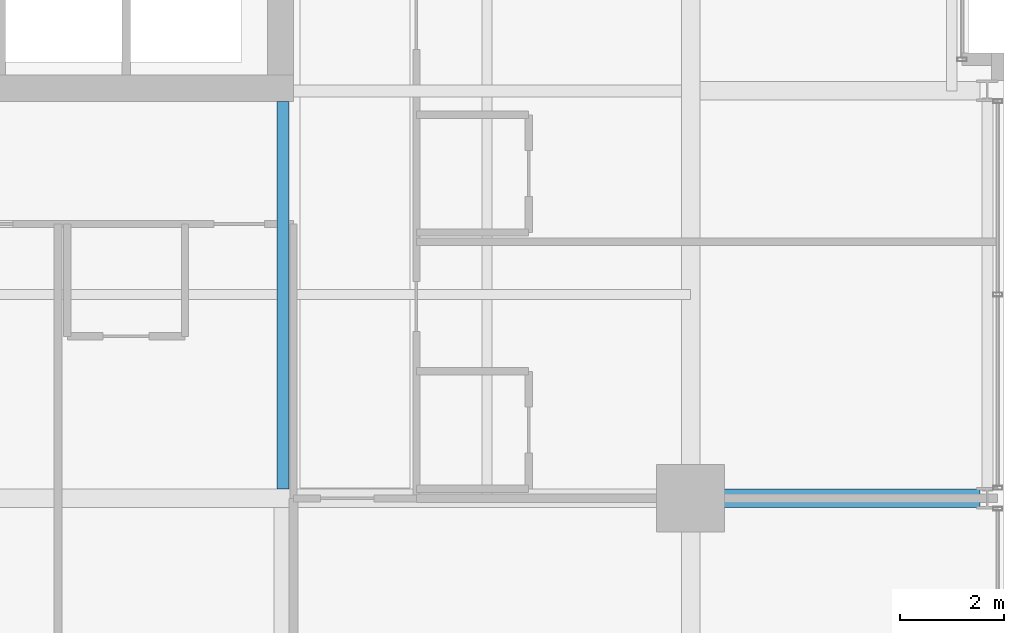
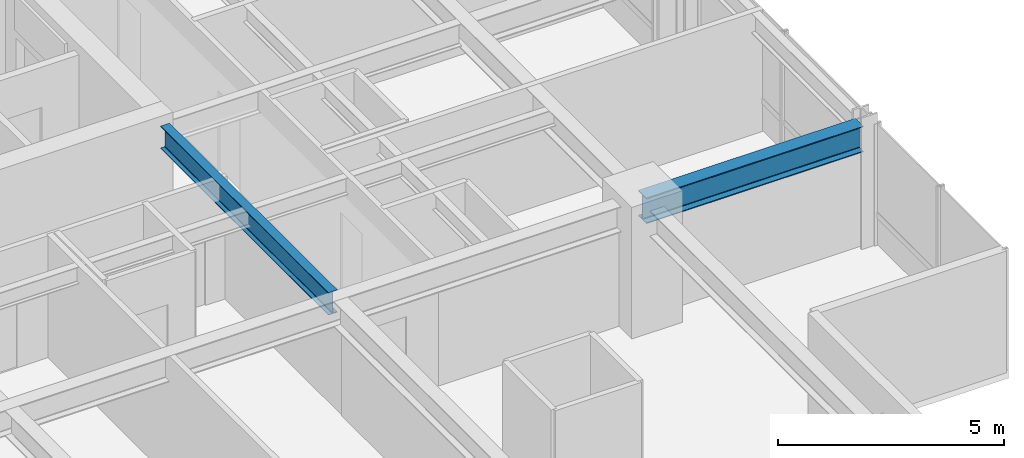
# One storey, part 12 of 32: 2 beams.
"""IFC4 building model written with IfcOpenShell, lengths in metres."""

import ifcopenshell
import ifcopenshell.guid

model = None  # the IFC model being written
_history = None  # IfcOwnerHistory: only IFC2X3 demands one
_inside = {}  # id of a spatial element -> (the spatial element, [elements in it])
_under = {}  # id of a project, library or spatial element -> (it, [spatial elements below it])
_declared = {}  # id of a project -> (the project, [libraries it declares])
_typed = {}  # id of a type object -> (the type object, [elements of that type])
_made_of = {}  # id of a material, layer set ... -> (it, [elements and type objects made of it])


def new_model(schema):
    """Start an empty IFC model of exactly this schema.

    Asked for "IFC4X3", IfcOpenShell would pick the latest addendum, in which some entities
    have other attributes; the version numbers below select the first issue.
    IFC2X3 requires an IfcOwnerHistory on every rooted entity: one is made here for all.
    """
    global model, _history
    if schema == "IFC4X3":
        model = ifcopenshell.file(schema_version=(4, 3, 0, 0))
    else:
        model = ifcopenshell.file(schema=schema)
    _inside.clear()
    _under.clear()
    _declared.clear()
    _typed.clear()
    _made_of.clear()
    _history = None
    if model.schema == "IFC2X3":
        org = make("IfcOrganization", Name="unknown")
        user = make(
            "IfcPersonAndOrganization",
            ThePerson=make("IfcPerson", FamilyName="unknown"),
            TheOrganization=org,
        )
        app = make(
            "IfcApplication",
            ApplicationDeveloper=org,
            Version="unknown",
            ApplicationFullName="unknown",
            ApplicationIdentifier="unknown",
        )
        _history = make(
            "IfcOwnerHistory",
            OwningUser=user,
            OwningApplication=app,
            ChangeAction="ADDED",
            CreationDate=0,
        )
    return model


def make(cls, **values):
    """One entity of the class cls with the attributes given. An attribute that is None is left unset."""
    return model.create_entity(
        cls, **{name: value for name, value in values.items() if value is not None}
    )


def rooted(cls, **values):
    """An entity with a GlobalId (a new one), such as an element, a storey or a relation."""
    return make(cls, GlobalId=ifcopenshell.guid.new(), OwnerHistory=_history, **values)


def si_unit(unit_type, name, prefix=None):
    """IfcSIUnit, for example si_unit("LENGTHUNIT", "METRE", prefix="MILLI")."""
    return make("IfcSIUnit", UnitType=unit_type, Prefix=prefix, Name=name)


def assignment(units):
    """IfcUnitAssignment: the units of a project."""
    return None if units is None else make("IfcUnitAssignment", Units=units)


def point(xyz):
    """IfcCartesianPoint."""
    return None if xyz is None else make("IfcCartesianPoint", Coordinates=xyz)


def direction(xyz):
    """IfcDirection."""
    return None if xyz is None else make("IfcDirection", DirectionRatios=xyz)


def frame(location, z_axis=None, x_axis=None):
    """IfcAxis2Placement3D, a coordinate frame: its origin and axes. An axis left out is left unset."""
    return make(
        "IfcAxis2Placement3D",
        Location=point(location),
        Axis=direction(z_axis),
        RefDirection=direction(x_axis),
    )


def frame_2d(location, x_axis=None):
    """IfcAxis2Placement2D, a coordinate frame in the plane: its origin and x axis."""
    return make(
        "IfcAxis2Placement2D", Location=point(location), RefDirection=direction(x_axis)
    )


def origin():
    """The frame at (0, 0, 0) with its axes left unset."""
    return frame((0.0, 0.0, 0.0))


def origin_2d():
    """The frame at (0, 0) in the plane with its x axis left unset."""
    return frame_2d((0.0, 0.0))


def place(relative_to, where):
    """IfcLocalPlacement: puts the frame where relative to a parent placement (None: the world)."""
    return make(
        "IfcLocalPlacement", PlacementRelTo=relative_to, RelativePlacement=where
    )


def context(
    kind, dimensions, precision=None, world=None, true_north=None, identifier=None
):
    """IfcGeometricRepresentationContext, for example the 3D "Model" context."""
    return make(
        "IfcGeometricRepresentationContext",
        ContextIdentifier=identifier,
        ContextType=kind,
        CoordinateSpaceDimension=dimensions,
        Precision=precision,
        WorldCoordinateSystem=world,
        TrueNorth=true_north,
    )


def subcontext(parent, identifier, kind, view, scale=None):
    """IfcGeometricRepresentationSubContext, for example "Body" below "Model"."""
    return make(
        "IfcGeometricRepresentationSubContext",
        ContextIdentifier=identifier,
        ContextType=kind,
        ParentContext=parent,
        TargetScale=scale,
        TargetView=view,
    )


def project(units=None, contexts=None):
    """IfcProject with its units and contexts."""
    return rooted(
        "IfcProject",
        Name="project",
        RepresentationContexts=contexts,
        UnitsInContext=assignment(units),
    )


def spatial(cls, under=None, at=None, **own):
    """A site, building, storey or space (cls), placed at a placement, below another one or the project."""
    s = rooted(cls, ObjectPlacement=at, **own)
    if under is not None:
        _under.setdefault(under.id(), (under, []))[1].append(s)
    return s


def profile(cls, at=None, kind="AREA", **sizes):
    """A parametric profile (cls). Its sizes go by their IFC names, for example OverallWidth=200.0."""
    return make(cls, ProfileType=kind, Position=at, **sizes)


def i_section(**sizes):
    """IfcIShapeProfileDef."""
    return profile("IfcIShapeProfileDef", **sizes)


def extrude(swept, where, along, depth):
    """IfcExtrudedAreaSolid: the profile swept, set in the frame where, extruded along a direction by depth."""
    return make(
        "IfcExtrudedAreaSolid",
        SweptArea=swept,
        Position=where,
        ExtrudedDirection=direction(along),
        Depth=depth,
    )


def shape(context_of_items, identifier, shape_type, items):
    """IfcShapeRepresentation: the items that make up one representation, for example the "Body"."""
    return make(
        "IfcShapeRepresentation",
        ContextOfItems=context_of_items,
        RepresentationIdentifier=identifier,
        RepresentationType=shape_type,
        Items=items,
    )


def material(Name=None, Category=None):
    """IfcMaterial."""
    return make("IfcMaterial", Name=Name, Category=Category)


def material_profile(
    of_material, cross_section, Name=None, Category=None, Priority=None
):
    """IfcMaterialProfile: a cross section and its material."""
    return make(
        "IfcMaterialProfile",
        Name=Name,
        Material=of_material,
        Profile=cross_section,
        Priority=Priority,
        Category=Category,
    )


def profile_set(profiles, Name=None, composite=None):
    """IfcMaterialProfileSet."""
    return make(
        "IfcMaterialProfileSet",
        Name=Name,
        MaterialProfiles=profiles,
        CompositeProfile=composite,
    )


def made_of(thing, what):
    """Note that an element or type object is made of a material, layer set ...; save() writes the relation."""
    if what is not None:
        _made_of.setdefault(what.id(), (what, []))[1].append(thing)
    return thing


def type_object(cls, material=None, **own):
    """A type object (cls), such as IfcWallType, which elements share."""
    return made_of(rooted(cls, **own), material)


def element(
    cls,
    number,
    at=None,
    inside=None,
    cuts=None,
    type_object=None,
    material=None,
    context=None,
    identifier="Body",
    shape_type=None,
    held_by="IfcProductDefinitionShape",
    body=None,
    shapes=None,
    **own,
):
    """One element of the class cls, such as IfcWall. Its Tag is "e" and its number.

    at: its placement. inside: the storey or other place that contains it. cuts: it is an
    opening in that element (IfcRelVoidsElement). A single representation is given by context,
    identifier, shape_type and body (its items); several are given by shapes. held_by: the class
    of the entity that holds the representations. save() writes the other relations.
    """
    e = rooted(cls, Tag="e%d" % number, ObjectPlacement=at, **own)
    if body is not None:
        shapes = [shape(context, identifier, shape_type, body)]
    if shapes is not None:
        e.Representation = make(held_by, Representations=shapes)
    if inside is not None:
        _inside.setdefault(inside.id(), (inside, []))[1].append(e)
    if cuts is not None:
        rooted(
            "IfcRelVoidsElement", RelatingBuildingElement=cuts, RelatedOpeningElement=e
        )
    if type_object is not None:
        _typed.setdefault(type_object.id(), (type_object, []))[1].append(e)
    return made_of(e, material)


def aggregate(whole, parts):
    """IfcRelAggregates: a whole, such as a stair, and the parts it consists of."""
    return rooted("IfcRelAggregates", RelatingObject=whole, RelatedObjects=parts)


def save(model, path):
    """Write the relations noted so far, then the file.

    IfcRelAggregates (storeys below a building ...), IfcRelContainedInSpatialStructure (elements
    in a storey), IfcRelDefinesByType, IfcRelAssociatesMaterial and IfcRelDeclares: one each for
    every whole, place, type object, material and project.
    """
    for whole, parts in _under.values():
        aggregate(whole, parts)
    for where, things in _inside.values():
        rooted(
            "IfcRelContainedInSpatialStructure",
            RelatedElements=things,
            RelatingStructure=where,
        )
    for kind, things in _typed.values():
        rooted("IfcRelDefinesByType", RelatedObjects=things, RelatingType=kind)
    for what, things in _made_of.values():
        rooted("IfcRelAssociatesMaterial", RelatedObjects=things, RelatingMaterial=what)
    for by, libraries in _declared.values():
        rooted("IfcRelDeclares", RelatingContext=by, RelatedDefinitions=libraries)
    model.write(path)


model = new_model("IFC4")

# Units and contexts
model_context = context("Model", 3, precision=1e-05, world=origin(), true_north=direction((0.0, 1.0)))
body_context = subcontext(model_context, "Body", "Model", "MODEL_VIEW")
ifc_project = project(units=[si_unit("LENGTHUNIT", "METRE"), si_unit("AREAUNIT", "SQUARE_METRE"), si_unit("VOLUMEUNIT", "CUBIC_METRE"), si_unit("PLANEANGLEUNIT", "RADIAN"), si_unit("MASSUNIT", "GRAM", prefix="KILO")], contexts=[model_context])

# Site, building, storey
site_placement = place(None, origin())
site = spatial("IfcSite", under=ifc_project, at=site_placement, CompositionType="ELEMENT")
building_placement = place(site_placement, origin())
building = spatial("IfcBuilding", under=site, at=building_placement, Name="Drelvath Grand Hotel", CompositionType="ELEMENT")
storey_placement = place(building_placement, frame((0.0, 0.0, 150.39990234375)))
storey = spatial("IfcBuildingStorey", under=building, at=storey_placement, Name="L38", CompositionType="ELEMENT", Elevation=150.39990234375)

# Beams
ifc_material = material(Name="Steel ASTM A992 Gr 50", Category="steel")
ifc_material_profile_1 = material_profile(ifc_material, i_section(OverallWidth=0.228271484375, OverallDepth=0.607666015625, WebThickness=0.01123046875, FlangeThickness=0.017333984375, FilletRadius=0.02001953125, at=origin_2d()), Name="W24X76")
ifc_profile_set_1 = profile_set([ifc_material_profile_1], Name="Steel ASTM A992 Gr 50")
beam_type_1 = type_object("IfcBeamType", Name="Primary Floor Girder W24X76", PredefinedType="BEAM", material=ifc_profile_set_1)
beam_1_placement = place(storey_placement, frame((8.39990234375, 10.977294921875, 2.986328125), z_axis=(0.0, 1.0, 0.0), x_axis=(-1.0, 0.0, 0.0)))
element("IfcBeam", 1, at=beam_1_placement, inside=storey, type_object=beam_type_1, Name="L38 South Core Tie 6", PredefinedType="BEAM", context=body_context, shape_type="SweptSolid", body=[
    extrude(i_section(OverallWidth=0.228271484375, OverallDepth=0.607666015625, WebThickness=0.01123046875, FlangeThickness=0.017333984375, FilletRadius=0.02001953125, at=origin_2d()), origin(), (0.0, 0.0, 1.0), 7.422607421875),
])
ifc_material_profile_2 = material_profile(ifc_material, i_section(OverallWidth=0.354736328125, OverallDepth=0.695556640625, WebThickness=0.015380859375, FlangeThickness=0.025146484375, FilletRadius=0.02392578125, at=origin_2d()), Name="W27X146")
ifc_profile_set_2 = profile_set([ifc_material_profile_2], Name="Steel ASTM A992 Gr 50")
beam_type_2 = type_object("IfcBeamType", Name="Primary Floor Girder W27X146", PredefinedType="BEAM", material=ifc_profile_set_2)
beam_2_placement = place(storey_placement, frame((16.199951171875, 10.800048828125, 2.9423828125), z_axis=(1.0, 0.0, 0.0), x_axis=(0.0, 1.0, 0.0)))
element("IfcBeam", 2, at=beam_2_placement, inside=storey, type_object=beam_type_2, Name="L38 East Grid Girder C", PredefinedType="BEAM", context=body_context, shape_type="SweptSolid", body=[
    extrude(i_section(OverallWidth=0.354736328125, OverallDepth=0.695556640625, WebThickness=0.015380859375, FlangeThickness=0.025146484375, FilletRadius=0.02392578125, at=origin_2d()), origin(), (0.0, 0.0, 1.0), 5.5400390625),
])

save(model, "model.ifc")
